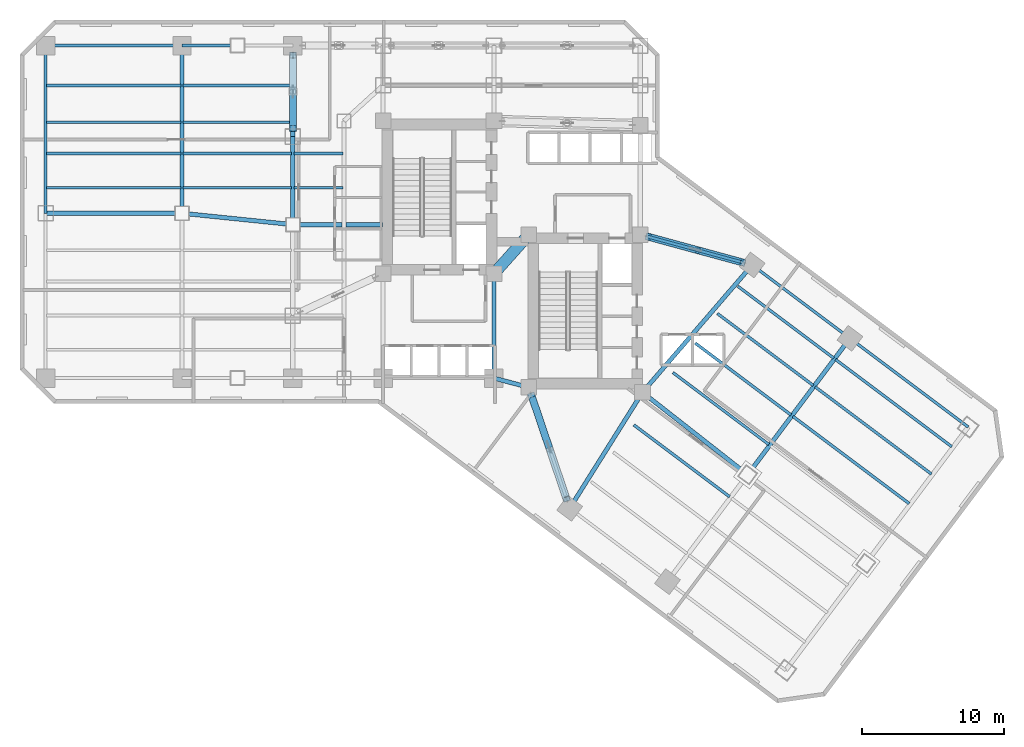
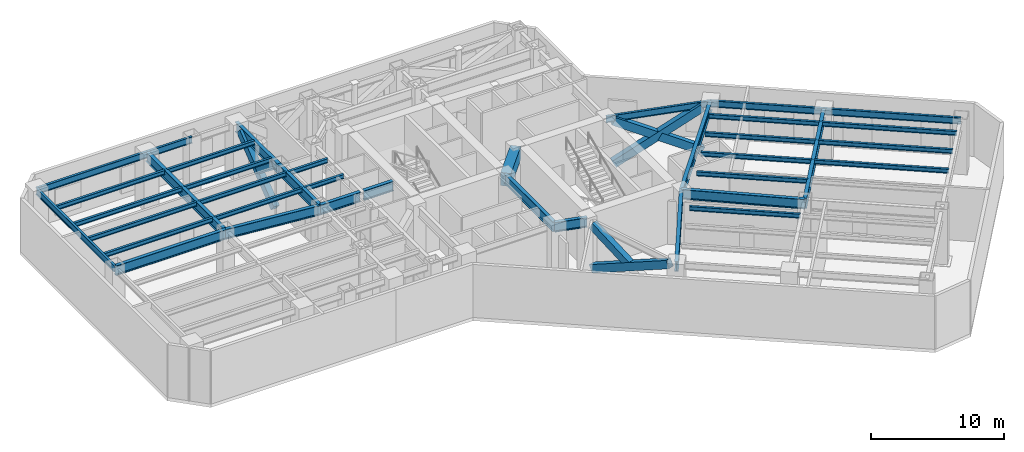
# One storey, part 2 of 16: 38 beams, 7 members.
"""IFC4 building model written with IfcOpenShell, lengths in metres."""

from ifc_helpers import new_model, si_unit, direction, frame, origin, origin_2d, place, context, subcontext, project, spatial, rectangle, hollow_rectangle, i_section, extrude, material, material_profile, profile_set, type_object, element, save


model = new_model("IFC4")

# Units and contexts
model_context = context("Model", 3, precision=1e-05, world=origin(), true_north=direction((0.0, 1.0)))
body_context = subcontext(model_context, "Body", "Model", "MODEL_VIEW")
ifc_project = project(units=[si_unit("LENGTHUNIT", "METRE"), si_unit("AREAUNIT", "SQUARE_METRE"), si_unit("VOLUMEUNIT", "CUBIC_METRE"), si_unit("PLANEANGLEUNIT", "RADIAN"), si_unit("MASSUNIT", "GRAM", prefix="KILO")], contexts=[model_context])

# Site, building, storey
site_placement = place(None, origin())
site = spatial("IfcSite", under=ifc_project, at=site_placement, CompositionType="ELEMENT")
building_placement = place(site_placement, origin())
building = spatial("IfcBuilding", under=site, at=building_placement, Name="Hatsunagi Terrace Concourse", CompositionType="ELEMENT")
storey_placement = place(building_placement, frame((0.0, 0.0, 27.0)))
storey = spatial("IfcBuildingStorey", under=building, at=storey_placement, Name="L06", CompositionType="ELEMENT", Elevation=27.0)

# Beams
ifc_material_1 = material(Name="Concrete Fc60", Category="concrete")
ifc_material_profile_1 = material_profile(ifc_material_1, rectangle(XDim=0.800048828125, YDim=1.199951171875, at=origin_2d()), Name="RC-800x1200")
ifc_profile_set_1 = profile_set([ifc_material_profile_1], Name="Concrete Fc60")
beam_type_1 = type_object("IfcBeamType", Name="CoreCouplingBeam_RC_800x1200", PredefinedType="BEAM", material=ifc_profile_set_1)
beam_1_placement = place(storey_placement, frame((33.35009765625, 32.550048828125, 4.280029296875), z_axis=(0.665198651008, 0.746666427997, 0.0), x_axis=(-0.746666427997, 0.665198651008, 0.0)))
element("IfcBeam", 1, at=beam_1_placement, inside=storey, type_object=beam_type_1, Name="Beam CB-01 CB-L06-1", PredefinedType="BEAM", context=body_context, shape_type="SweptSolid", body=[
    extrude(rectangle(XDim=0.800048828125, YDim=1.199951171875, at=origin_2d()), origin(), (0.0, 0.0, 1.0), 3.68310546875),
])
ifc_material_2 = material(Name="Steel SN490B", Category="steel")
ifc_material_profile_2 = material_profile(ifc_material_2, i_section(OverallWidth=0.300048828125, OverallDepth=0.89990234375, WebThickness=0.01611328125, FlangeThickness=0.028076171875, FilletRadius=0.02197265625, at=origin_2d()), Name="H-900x300x16x28")
ifc_profile_set_2 = profile_set([ifc_material_profile_2], Name="Steel SN490B")
beam_type_2 = type_object("IfcBeamType", Name="HeavyRefugeGirder_H_900x300", PredefinedType="BEAM", material=ifc_profile_set_2)
beam_2_placement = place(storey_placement, frame((33.35009765625, 25.199951171875, 4.429931640625), z_axis=(0.0, 1.0, 0.0), x_axis=(-1.0, 0.0, 0.0)))
element("IfcBeam", 2, at=beam_2_placement, inside=storey, type_object=beam_type_2, Name="Beam G-02 BM-L06-K2CA", PredefinedType="BEAM", context=body_context, shape_type="SweptSolid", body=[
    extrude(i_section(OverallWidth=0.300048828125, OverallDepth=0.89990234375, WebThickness=0.01611328125, FlangeThickness=0.028076171875, FilletRadius=0.02197265625, at=origin_2d()), origin(), (0.0, 0.0, 1.0), 7.35009765625),
])
beam_3_placement = place(storey_placement, frame((33.35009765625, 25.199951171875, 4.429931640625), z_axis=(0.966569840116, -0.256403479262, 0.0), x_axis=(0.256403479262, 0.966569840116, 0.0)))
element("IfcBeam", 3, at=beam_3_placement, inside=storey, type_object=beam_type_2, Name="Beam G-02 BM-L06-K2CB", PredefinedType="BEAM", context=body_context, shape_type="SweptSolid", body=[
    extrude(i_section(OverallWidth=0.300048828125, OverallDepth=0.89990234375, WebThickness=0.01611328125, FlangeThickness=0.028076171875, FilletRadius=0.02197265625, at=origin_2d()), origin(), (0.0, 0.0, 1.0), 2.53466796875),
])
beam_4_placement = place(storey_placement, frame((11.39990234375, 36.800048828125, 4.429931640625), z_axis=(0.0, 1.0, 0.0), x_axis=(-1.0, 0.0, 0.0)))
element("IfcBeam", 4, at=beam_4_placement, inside=storey, type_object=beam_type_2, Name="Beam G-02 BM-L06-NS-11-36", PredefinedType="BEAM", context=body_context, shape_type="SweptSolid", body=[
    extrude(i_section(OverallWidth=0.300048828125, OverallDepth=0.89990234375, WebThickness=0.01611328125, FlangeThickness=0.028076171875, FilletRadius=0.02197265625, at=origin_2d()), origin(), (0.0, 0.0, 1.0), 11.800048828125),
])
beam_5_placement = place(storey_placement, frame((19.199951171875, 36.0, 4.429931640625), z_axis=(0.0, 1.0, 0.0), x_axis=(-1.0, 0.0, 0.0)))
element("IfcBeam", 5, at=beam_5_placement, inside=storey, type_object=beam_type_2, Name="Beam G-02 BM-L06-NS-19-36", PredefinedType="BEAM", context=body_context, shape_type="SweptSolid", body=[
    extrude(i_section(OverallWidth=0.300048828125, OverallDepth=0.89990234375, WebThickness=0.01611328125, FlangeThickness=0.028076171875, FilletRadius=0.02197265625, at=origin_2d()), origin(), (0.0, 0.0, 1.0), 6.199951171875),
])
beam_6_placement = place(storey_placement, frame((19.199951171875, 42.199951171875, 4.429931640625), z_axis=(0.0, 1.0, 0.0), x_axis=(-1.0, 0.0, 0.0)))
element("IfcBeam", 6, at=beam_6_placement, inside=storey, type_object=beam_type_2, Name="Beam G-02 BM-L06-NS-19-42", PredefinedType="BEAM", context=body_context, shape_type="SweptSolid", body=[
    extrude(i_section(OverallWidth=0.300048828125, OverallDepth=0.89990234375, WebThickness=0.01611328125, FlangeThickness=0.028076171875, FilletRadius=0.02197265625, at=origin_2d()), origin(), (0.0, 0.0, 1.0), 6.400146484375),
])
beam_7_placement = place(storey_placement, frame((1.800048828125, 36.800048828125, 4.429931640625), z_axis=(1.0, 0.0, 0.0), x_axis=(0.0, 1.0, 0.0)))
element("IfcBeam", 7, at=beam_7_placement, inside=storey, type_object=beam_type_2, Name="Beam G-02 BM-L06-EW-1", PredefinedType="BEAM", context=body_context, shape_type="SweptSolid", body=[
    extrude(i_section(OverallWidth=0.300048828125, OverallDepth=0.89990234375, WebThickness=0.01611328125, FlangeThickness=0.028076171875, FilletRadius=0.02197265625, at=origin_2d()), origin(), (0.0, 0.0, 1.0), 9.599853515625),
])
beam_8_placement = place(storey_placement, frame((11.39990234375, 36.800048828125, 4.429931640625), z_axis=(0.994780871372, -0.102034395927, 0.0), x_axis=(0.102034395927, 0.994780871372, 0.0)))
element("IfcBeam", 8, at=beam_8_placement, inside=storey, type_object=beam_type_2, Name="Beam G-02 BM-L06-EW-2", PredefinedType="BEAM", context=body_context, shape_type="SweptSolid", body=[
    extrude(i_section(OverallWidth=0.300048828125, OverallDepth=0.89990234375, WebThickness=0.01611328125, FlangeThickness=0.028076171875, FilletRadius=0.02197265625, at=origin_2d()), origin(), (0.0, 0.0, 1.0), 7.841064453125),
])
beam_9_placement = place(storey_placement, frame((19.199951171875, 36.0, 4.429931640625), z_axis=(1.0, 0.0, 0.0), x_axis=(0.0, 1.0, 0.0)))
element("IfcBeam", 9, at=beam_9_placement, inside=storey, type_object=beam_type_2, Name="Beam G-02 BM-L06-EW-3", PredefinedType="BEAM", context=body_context, shape_type="SweptSolid", body=[
    extrude(i_section(OverallWidth=0.300048828125, OverallDepth=0.89990234375, WebThickness=0.01611328125, FlangeThickness=0.028076171875, FilletRadius=0.02197265625, at=origin_2d()), origin(), (0.0, 0.0, 1.0), 3.449951171875),
])
beam_10_placement = place(storey_placement, frame((22.949951171875, 36.0, 4.429931640625), z_axis=(1.0, 0.0, 0.0), x_axis=(0.0, 1.0, 0.0)))
element("IfcBeam", 10, at=beam_10_placement, inside=storey, type_object=beam_type_2, Name="Beam G-02 BM-L06-EW-4", PredefinedType="BEAM", context=body_context, shape_type="SweptSolid", body=[
    extrude(i_section(OverallWidth=0.300048828125, OverallDepth=0.89990234375, WebThickness=0.01611328125, FlangeThickness=0.028076171875, FilletRadius=0.02197265625, at=origin_2d()), origin(), (0.0, 0.0, 1.0), 2.56005859375),
])
beam_11_placement = place(storey_placement, frame((38.679931640625, 16.0400390625, 4.429931640625), z_axis=(0.531503907049, 0.847055840421, 0.0), x_axis=(-0.847055840421, 0.531503907049, 0.0)))
element("IfcBeam", 11, at=beam_11_placement, inside=storey, type_object=beam_type_2, Name="Beam G-02 BM-L06-SET-1A", PredefinedType="BEAM", context=body_context, shape_type="SweptSolid", body=[
    extrude(i_section(OverallWidth=0.300048828125, OverallDepth=0.89990234375, WebThickness=0.01611328125, FlangeThickness=0.028076171875, FilletRadius=0.02197265625, at=origin_2d()), origin(), (0.0, 0.0, 1.0), 9.63330078125),
])
beam_12_placement = place(storey_placement, frame((43.800048828125, 24.199951171875, 4.429931640625), z_axis=(0.652739101421, 0.757582777969, 0.0), x_axis=(-0.757582777969, 0.652739101421, 0.0)))
element("IfcBeam", 12, at=beam_12_placement, inside=storey, type_object=beam_type_2, Name="Beam G-02 BM-L06-SET-1B", PredefinedType="BEAM", context=body_context, shape_type="SweptSolid", body=[
    extrude(i_section(OverallWidth=0.300048828125, OverallDepth=0.89990234375, WebThickness=0.01611328125, FlangeThickness=0.028076171875, FilletRadius=0.02197265625, at=origin_2d()), origin(), (0.0, 0.0, 1.0), 11.8271484375),
])
beam_13_placement = place(storey_placement, frame((43.800048828125, 24.199951171875, 4.429931640625), z_axis=(0.787049441068, -0.616889923175, 0.0), x_axis=(0.616889923175, 0.787049441068, 0.0)))
element("IfcBeam", 13, at=beam_13_placement, inside=storey, type_object=beam_type_2, Name="Beam G-02 BM-L06-SE-M2", PredefinedType="BEAM", context=body_context, shape_type="SweptSolid", body=[
    extrude(i_section(OverallWidth=0.300048828125, OverallDepth=0.89990234375, WebThickness=0.01611328125, FlangeThickness=0.028076171875, FilletRadius=0.02197265625, at=origin_2d()), origin(), (0.0, 0.0, 1.0), 9.402099609375),
])
beam_14_placement = place(storey_placement, frame((51.199951171875, 18.39990234375, 4.429931640625), z_axis=(0.59999348959, 0.800004882766, 0.0), x_axis=(-0.800004882766, 0.59999348959, 0.0)))
element("IfcBeam", 14, at=beam_14_placement, inside=storey, type_object=beam_type_2, Name="Beam G-02 BM-L06-SET-2B", PredefinedType="BEAM", context=body_context, shape_type="SweptSolid", body=[
    extrude(i_section(OverallWidth=0.300048828125, OverallDepth=0.89990234375, WebThickness=0.01611328125, FlangeThickness=0.028076171875, FilletRadius=0.02197265625, at=origin_2d()), origin(), (0.0, 0.0, 1.0), 12.0),
])

# Members
ifc_material_3 = material(Name="Steel SN490C", Category="steel")
ifc_material_profile_3 = material_profile(ifc_material_3, hollow_rectangle(XDim=0.5, YDim=0.699951171875, WallThickness=0.031982421875, at=origin_2d()), Name="RHS-700x500x32")
ifc_profile_set_3 = profile_set([ifc_material_profile_3], Name="Steel SN490C")
member_type = type_object("IfcMemberType", Name="OutriggerDiagonal_RHS_700x500x32", PredefinedType="BRACE", material=ifc_profile_set_3)
member_1_placement = place(storey_placement, frame((19.199951171875, 42.778076171875, 0.4599609375), z_axis=(0.0, 0.792400245143, 0.610001517619), x_axis=(-1.0, 0.0, 0.0)))
element("IfcMember", 15, at=member_1_placement, inside=storey, type_object=member_type, Name="Primary Continuous Brace OUT-01 OUT-L06-2A", PredefinedType="BRACE", context=body_context, shape_type="SweptSolid", body=[
    extrude(hollow_rectangle(XDim=0.5, YDim=0.699951171875, WallThickness=0.031982421875, at=origin_2d()), origin(), (0.0, 0.0, 1.0), 6.49169921875),
])
member_2_placement = place(storey_placement, frame((19.199951171875, 42.778076171875, 4.419921875), z_axis=(0.0, 0.792314151699, -0.610113337846), x_axis=(-1.0, 0.0, 0.0)))
element("IfcMember", 16, at=member_2_placement, inside=storey, type_object=member_type, Name="Split Secondary Brace Upper OUT-01 OUT-L06-2B1", PredefinedType="BRACE", context=body_context, shape_type="SweptSolid", body=[
    extrude(hollow_rectangle(XDim=0.5, YDim=0.699951171875, WallThickness=0.031982421875, at=origin_2d()), origin(), (0.0, 0.0, 1.0), 3.10595703125),
])
member_3_placement = place(storey_placement, frame((35.985107421875, 24.0029296875, 0.4599609375), z_axis=(0.285315029926, -0.843013282333, 0.455986775584), x_axis=(0.947220249155, 0.320583529819, 0.0)))
element("IfcMember", 17, at=member_3_placement, inside=storey, type_object=member_type, Name="Primary Continuous Brace OUT-01 OUT-L06-5A", PredefinedType="BRACE", context=body_context, shape_type="SweptSolid", body=[
    extrude(hollow_rectangle(XDim=0.5, YDim=0.699951171875, WallThickness=0.031982421875, at=origin_2d()), origin(), (0.0, 0.0, 1.0), 8.684326171875),
])
member_4_placement = place(storey_placement, frame((35.985107421875, 24.0029296875, 4.419921875), z_axis=(0.285353983676, -0.842988310968, -0.456008565239), x_axis=(0.947204073094, 0.320631320855, 0.0)))
element("IfcMember", 18, at=member_4_placement, inside=storey, type_object=member_type, Name="Split Secondary Brace Upper OUT-01 OUT-L06-5B1", PredefinedType="BRACE", context=body_context, shape_type="SweptSolid", body=[
    extrude(hollow_rectangle(XDim=0.5, YDim=0.699951171875, WallThickness=0.031982421875, at=origin_2d()), origin(), (0.0, 0.0, 1.0), 4.20166015625),
])
member_5_placement = place(storey_placement, frame((44.2080078125, 35.14794921875, 0.4599609375), z_axis=(0.83692631115, -0.227530038168, 0.49777950082), x_axis=(0.262341852411, 0.964975000958, 0.0)))
element("IfcMember", 19, at=member_5_placement, inside=storey, type_object=member_type, Name="Primary Continuous Brace OUT-01 OUT-L06-6A", PredefinedType="BRACE", context=body_context, shape_type="SweptSolid", body=[
    extrude(hollow_rectangle(XDim=0.5, YDim=0.699951171875, WallThickness=0.031982421875, at=origin_2d()), origin(), (0.0, 0.0, 1.0), 7.955322265625),
])
member_6_placement = place(storey_placement, frame((44.2080078125, 35.14794921875, 4.419921875), z_axis=(0.836981976987, -0.227504374407, -0.497697628912), x_axis=(0.26229805268, 0.964986907455, 0.0)))
element("IfcMember", 20, at=member_6_placement, inside=storey, type_object=member_type, Name="Split Secondary Brace Upper OUT-01 OUT-L06-6B1", PredefinedType="BRACE", context=body_context, shape_type="SweptSolid", body=[
    extrude(hollow_rectangle(XDim=0.5, YDim=0.699951171875, WallThickness=0.031982421875, at=origin_2d()), origin(), (0.0, 0.0, 1.0), 3.83740234375),
])
member_7_placement = place(storey_placement, frame((47.654052734375, 34.2109375, 2.3701171875), z_axis=(0.83695547484, -0.227497170723, -0.497745487622), x_axis=(0.26229805268, 0.964986907455, 0.0)))
element("IfcMember", 21, at=member_7_placement, inside=storey, type_object=member_type, Name="Split Secondary Brace Lower OUT-01 OUT-L06-6B2", PredefinedType="BRACE", context=body_context, shape_type="SweptSolid", body=[
    extrude(hollow_rectangle(XDim=0.5, YDim=0.699951171875, WallThickness=0.031982421875, at=origin_2d()), origin(), (0.0, 0.0, 1.0), 3.837646484375),
])

# Beams
ifc_material_4 = material(Name="Steel SN490B", Category="steel")
ifc_material_profile_4 = material_profile(ifc_material_4, i_section(OverallWidth=0.199951171875, OverallDepth=0.60009765625, WebThickness=0.010986328125, FlangeThickness=0.01708984375, FilletRadius=0.01806640625, at=origin_2d()), Name="H-600x200x11x17")
ifc_profile_set_4 = profile_set([ifc_material_profile_4], Name="Steel SN490B")
beam_type_3 = type_object("IfcBeamType", Name="PerimeterSpandrel_H_600x200", PredefinedType="SPANDREL", material=ifc_profile_set_4)
beam_15_placement = place(storey_placement, frame((1.800048828125, 48.60009765625, 4.580078125), z_axis=(1.0, 0.0, 0.0), x_axis=(0.0, 1.0, 0.0)))
element("IfcBeam", 22, at=beam_15_placement, inside=storey, type_object=beam_type_3, Name="Beam SP-01 BM-L06-WN-1", PredefinedType="SPANDREL", context=body_context, shape_type="SweptSolid", body=[
    extrude(i_section(OverallWidth=0.199951171875, OverallDepth=0.60009765625, WebThickness=0.010986328125, FlangeThickness=0.01708984375, FilletRadius=0.01806640625, at=origin_2d()), origin(), (0.0, 0.0, 1.0), 9.599853515625),
])
beam_16_placement = place(storey_placement, frame((11.39990234375, 48.60009765625, 4.580078125), z_axis=(1.0, 0.0, 0.0), x_axis=(0.0, 1.0, 0.0)))
element("IfcBeam", 23, at=beam_16_placement, inside=storey, type_object=beam_type_3, Name="Beam SP-01 BM-L06-WN-11", PredefinedType="SPANDREL", context=body_context, shape_type="SweptSolid", body=[
    extrude(i_section(OverallWidth=0.199951171875, OverallDepth=0.60009765625, WebThickness=0.010986328125, FlangeThickness=0.01708984375, FilletRadius=0.01806640625, at=origin_2d()), origin(), (0.0, 0.0, 1.0), 3.900146484375),
])
beam_17_placement = place(storey_placement, frame((1.800048828125, 36.800048828125, 4.580078125), z_axis=(0.0, 1.0, 0.0), x_axis=(-1.0, 0.0, 0.0)))
element("IfcBeam", 24, at=beam_17_placement, inside=storey, type_object=beam_type_3, Name="Beam SP-01 BM-L06-NS-1-36", PredefinedType="SPANDREL", context=body_context, shape_type="SweptSolid", body=[
    extrude(i_section(OverallWidth=0.199951171875, OverallDepth=0.60009765625, WebThickness=0.010986328125, FlangeThickness=0.01708984375, FilletRadius=0.01806640625, at=origin_2d()), origin(), (0.0, 0.0, 1.0), 11.800048828125),
])
beam_18_placement = place(storey_placement, frame((43.64990234375, 35.300048828125, 4.580078125), z_axis=(0.964958359286, -0.262403057994, 0.0), x_axis=(0.262403057994, 0.964958359286, 0.0)))
element("IfcBeam", 25, at=beam_18_placement, inside=storey, type_object=beam_type_3, Name="Beam SP-01 BM-L06-SE-NE0", PredefinedType="SPANDREL", context=body_context, shape_type="SweptSolid", body=[
    extrude(i_section(OverallWidth=0.199951171875, OverallDepth=0.60009765625, WebThickness=0.010986328125, FlangeThickness=0.01708984375, FilletRadius=0.01806640625, at=origin_2d()), origin(), (0.0, 0.0, 1.0), 8.156005859375),
])
beam_19_placement = place(storey_placement, frame((51.52001953125, 33.159912109375, 4.580078125), z_axis=(0.8, -0.6, 0.0), x_axis=(0.6, 0.8, 0.0)))
element("IfcBeam", 26, at=beam_19_placement, inside=storey, type_object=beam_type_3, Name="Beam SP-01 BM-L06-SE-NE2", PredefinedType="SPANDREL", context=body_context, shape_type="SweptSolid", body=[
    extrude(i_section(OverallWidth=0.199951171875, OverallDepth=0.60009765625, WebThickness=0.010986328125, FlangeThickness=0.01708984375, FilletRadius=0.01806640625, at=origin_2d()), origin(), (0.0, 0.0, 1.0), 8.599853515625),
])
beam_20_placement = place(storey_placement, frame((58.39990234375, 28.0, 4.580078125), z_axis=(0.800002816985, -0.599996244001, 0.0), x_axis=(0.599996244001, 0.800002816985, 0.0)))
element("IfcBeam", 27, at=beam_20_placement, inside=storey, type_object=beam_type_3, Name="Beam SP-01 BM-L06-SE-NE3", PredefinedType="SPANDREL", context=body_context, shape_type="SweptSolid", body=[
    extrude(i_section(OverallWidth=0.199951171875, OverallDepth=0.60009765625, WebThickness=0.010986328125, FlangeThickness=0.01708984375, FilletRadius=0.01806640625, at=origin_2d()), origin(), (0.0, 0.0, 1.0), 10.400146484375),
])
ifc_material_5 = material(Name="Steel SN490B", Category="steel")
ifc_material_profile_5 = material_profile(ifc_material_5, i_section(OverallWidth=0.199951171875, OverallDepth=0.39990234375, WebThickness=0.008056640625, FlangeThickness=0.012939453125, FilletRadius=0.012939453125, at=origin_2d()), Name="H-400x200x8x13")
ifc_profile_set_5 = profile_set([ifc_material_profile_5], Name="Steel SN490B")
beam_type_4 = type_object("IfcBeamType", Name="PodiumJoist_H_400x200", PredefinedType="JOIST", material=ifc_profile_set_5)
beam_21_placement = place(storey_placement, frame((1.864990234375, 38.60009765625, 4.679931640625), z_axis=(1.0, 0.0, 0.0), x_axis=(0.0, 1.0, 0.0)))
element("IfcBeam", 28, at=beam_21_placement, inside=storey, type_object=beam_type_4, Name="Beam J-01 J-L06-W-1-386", PredefinedType="JOIST", context=body_context, shape_type="SweptSolid", body=[
    extrude(i_section(OverallWidth=0.199951171875, OverallDepth=0.39990234375, WebThickness=0.008056640625, FlangeThickness=0.012939453125, FilletRadius=0.012939453125, at=origin_2d()), origin(), (0.0, 0.0, 1.0), 9.449951171875),
])
beam_22_placement = place(storey_placement, frame((11.485107421875, 38.60009765625, 4.679931640625), z_axis=(1.0, 0.0, 0.0), x_axis=(0.0, 1.0, 0.0)))
element("IfcBeam", 29, at=beam_22_placement, inside=storey, type_object=beam_type_4, Name="Beam J-01 J-L06-W-11-386", PredefinedType="JOIST", context=body_context, shape_type="SweptSolid", body=[
    extrude(i_section(OverallWidth=0.199951171875, OverallDepth=0.39990234375, WebThickness=0.008056640625, FlangeThickness=0.012939453125, FilletRadius=0.012939453125, at=origin_2d()), origin(), (0.0, 0.0, 1.0), 7.6298828125),
])
beam_23_placement = place(storey_placement, frame((19.284912109375, 38.60009765625, 4.679931640625), z_axis=(1.0, 0.0, 0.0), x_axis=(0.0, 1.0, 0.0)))
element("IfcBeam", 30, at=beam_23_placement, inside=storey, type_object=beam_type_4, Name="Beam J-01 J-L06-W-19-386", PredefinedType="JOIST", context=body_context, shape_type="SweptSolid", body=[
    extrude(i_section(OverallWidth=0.199951171875, OverallDepth=0.39990234375, WebThickness=0.008056640625, FlangeThickness=0.012939453125, FilletRadius=0.012939453125, at=origin_2d()), origin(), (0.0, 0.0, 1.0), 3.43017578125),
])
beam_24_placement = place(storey_placement, frame((1.864990234375, 41.0, 4.679931640625), z_axis=(1.0, 0.0, 0.0), x_axis=(0.0, 1.0, 0.0)))
element("IfcBeam", 31, at=beam_24_placement, inside=storey, type_object=beam_type_4, Name="Beam J-01 J-L06-W-1-410", PredefinedType="JOIST", context=body_context, shape_type="SweptSolid", body=[
    extrude(i_section(OverallWidth=0.199951171875, OverallDepth=0.39990234375, WebThickness=0.008056640625, FlangeThickness=0.012939453125, FilletRadius=0.012939453125, at=origin_2d()), origin(), (0.0, 0.0, 1.0), 9.449951171875),
])
beam_25_placement = place(storey_placement, frame((11.485107421875, 41.0, 4.679931640625), z_axis=(1.0, 0.0, 0.0), x_axis=(0.0, 1.0, 0.0)))
element("IfcBeam", 32, at=beam_25_placement, inside=storey, type_object=beam_type_4, Name="Beam J-01 J-L06-W-11-410", PredefinedType="JOIST", context=body_context, shape_type="SweptSolid", body=[
    extrude(i_section(OverallWidth=0.199951171875, OverallDepth=0.39990234375, WebThickness=0.008056640625, FlangeThickness=0.012939453125, FilletRadius=0.012939453125, at=origin_2d()), origin(), (0.0, 0.0, 1.0), 7.6298828125),
])
beam_26_placement = place(storey_placement, frame((19.284912109375, 41.0, 4.679931640625), z_axis=(1.0, 0.0, 0.0), x_axis=(0.0, 1.0, 0.0)))
element("IfcBeam", 33, at=beam_26_placement, inside=storey, type_object=beam_type_4, Name="Beam J-01 J-L06-W-19-410", PredefinedType="JOIST", context=body_context, shape_type="SweptSolid", body=[
    extrude(i_section(OverallWidth=0.199951171875, OverallDepth=0.39990234375, WebThickness=0.008056640625, FlangeThickness=0.012939453125, FilletRadius=0.012939453125, at=origin_2d()), origin(), (0.0, 0.0, 1.0), 3.43017578125),
])
beam_27_placement = place(storey_placement, frame((1.864990234375, 43.199951171875, 4.679931640625), z_axis=(1.0, 0.0, 0.0), x_axis=(0.0, 1.0, 0.0)))
element("IfcBeam", 34, at=beam_27_placement, inside=storey, type_object=beam_type_4, Name="Beam J-01 J-L06-W-1-432", PredefinedType="JOIST", context=body_context, shape_type="SweptSolid", body=[
    extrude(i_section(OverallWidth=0.199951171875, OverallDepth=0.39990234375, WebThickness=0.008056640625, FlangeThickness=0.012939453125, FilletRadius=0.012939453125, at=origin_2d()), origin(), (0.0, 0.0, 1.0), 9.449951171875),
])
beam_28_placement = place(storey_placement, frame((11.485107421875, 43.199951171875, 4.679931640625), z_axis=(1.0, 0.0, 0.0), x_axis=(0.0, 1.0, 0.0)))
element("IfcBeam", 35, at=beam_28_placement, inside=storey, type_object=beam_type_4, Name="Beam J-01 J-L06-W-11-432", PredefinedType="JOIST", context=body_context, shape_type="SweptSolid", body=[
    extrude(i_section(OverallWidth=0.199951171875, OverallDepth=0.39990234375, WebThickness=0.008056640625, FlangeThickness=0.012939453125, FilletRadius=0.012939453125, at=origin_2d()), origin(), (0.0, 0.0, 1.0), 7.6298828125),
])
beam_29_placement = place(storey_placement, frame((1.864990234375, 45.800048828125, 4.679931640625), z_axis=(1.0, 0.0, 0.0), x_axis=(0.0, 1.0, 0.0)))
element("IfcBeam", 36, at=beam_29_placement, inside=storey, type_object=beam_type_4, Name="Beam J-01 J-L06-W-1-458", PredefinedType="JOIST", context=body_context, shape_type="SweptSolid", body=[
    extrude(i_section(OverallWidth=0.199951171875, OverallDepth=0.39990234375, WebThickness=0.008056640625, FlangeThickness=0.012939453125, FilletRadius=0.012939453125, at=origin_2d()), origin(), (0.0, 0.0, 1.0), 9.449951171875),
])
beam_30_placement = place(storey_placement, frame((11.485107421875, 45.800048828125, 4.679931640625), z_axis=(1.0, 0.0, 0.0), x_axis=(0.0, 1.0, 0.0)))
element("IfcBeam", 37, at=beam_30_placement, inside=storey, type_object=beam_type_4, Name="Beam J-01 J-L06-W-11-458", PredefinedType="JOIST", context=body_context, shape_type="SweptSolid", body=[
    extrude(i_section(OverallWidth=0.199951171875, OverallDepth=0.39990234375, WebThickness=0.008056640625, FlangeThickness=0.012939453125, FilletRadius=0.012939453125, at=origin_2d()), origin(), (0.0, 0.0, 1.0), 7.6298828125),
])
for number, where, z_axis, x_axis, name in (
    (38, (43.18798828125, 21.908935546875, 4.679931640625), (0.800003475366, -0.59999536615, 0.0), (0.59999536615, 0.800003475366, 0.0), "Beam J-01 J-L06-SE-2-96"),
    (39, (45.947998046875, 25.589111328125, 4.679931640625), (0.799989573921, -0.600013901187, 0.0), (0.600013901187, 0.799989573921, 0.0), "Beam J-01 J-L06-SE-2-142"),
    (40, (47.508056640625, 27.6689453125, 4.679931640625), (0.800003475366, -0.59999536615, 0.0), (0.59999536615, 0.800003475366, 0.0), "Beam J-01 J-L06-SE-2-168"),
    (41, (49.068115234375, 29.7490234375, 4.679931640625), (0.799989573921, -0.600013901187, 0.0), (0.600013901187, 0.799989573921, 0.0), "Beam J-01 J-L06-SE-2-194"),
    (42, (50.508056640625, 31.6689453125, 4.679931640625), (0.800003475366, -0.59999536615, 0.0), (0.59999536615, 0.800003475366, 0.0), "Beam J-01 J-L06-SE-2-218"),
):
    element("IfcBeam", number, at=place(storey_placement, frame(where, z_axis=z_axis, x_axis=x_axis)), inside=storey, type_object=beam_type_4, Name=name, PredefinedType="JOIST", context=body_context, shape_type="SweptSolid", body=[
        extrude(i_section(OverallWidth=0.199951171875, OverallDepth=0.39990234375, WebThickness=0.008056640625, FlangeThickness=0.012939453125, FilletRadius=0.012939453125, at=origin_2d()), origin(), (0.0, 0.0, 1.0), 8.429931640625),
    ])
beam_31_placement = place(storey_placement, frame((54.387939453125, 22.509033203125, 4.679931640625), z_axis=(0.800005727586, -0.599992363142, 0.0), x_axis=(0.599992363142, 0.800005727586, 0.0)))
element("IfcBeam", 43, at=beam_31_placement, inside=storey, type_object=beam_type_4, Name="Beam J-01 J-L06-SE-3-168", PredefinedType="JOIST", context=body_context, shape_type="SweptSolid", body=[
    extrude(i_section(OverallWidth=0.199951171875, OverallDepth=0.39990234375, WebThickness=0.008056640625, FlangeThickness=0.012939453125, FilletRadius=0.012939453125, at=origin_2d()), origin(), (0.0, 0.0, 1.0), 10.22998046875),
])
beam_32_placement = place(storey_placement, frame((55.947998046875, 24.589111328125, 4.679931640625), z_axis=(0.799994272423, -0.600007636694, 0.0), x_axis=(0.600007636694, 0.799994272423, 0.0)))
element("IfcBeam", 44, at=beam_32_placement, inside=storey, type_object=beam_type_4, Name="Beam J-01 J-L06-SE-3-194", PredefinedType="JOIST", context=body_context, shape_type="SweptSolid", body=[
    extrude(i_section(OverallWidth=0.199951171875, OverallDepth=0.39990234375, WebThickness=0.008056640625, FlangeThickness=0.012939453125, FilletRadius=0.012939453125, at=origin_2d()), origin(), (0.0, 0.0, 1.0), 10.230224609375),
])
beam_33_placement = place(storey_placement, frame((57.387939453125, 26.509033203125, 4.679931640625), z_axis=(0.800005727586, -0.599992363142, 0.0), x_axis=(0.599992363142, 0.800005727586, 0.0)))
element("IfcBeam", 45, at=beam_33_placement, inside=storey, type_object=beam_type_4, Name="Beam J-01 J-L06-SE-3-218", PredefinedType="JOIST", context=body_context, shape_type="SweptSolid", body=[
    extrude(i_section(OverallWidth=0.199951171875, OverallDepth=0.39990234375, WebThickness=0.008056640625, FlangeThickness=0.012939453125, FilletRadius=0.012939453125, at=origin_2d()), origin(), (0.0, 0.0, 1.0), 10.22998046875),
])

save(model, "model.ifc")
